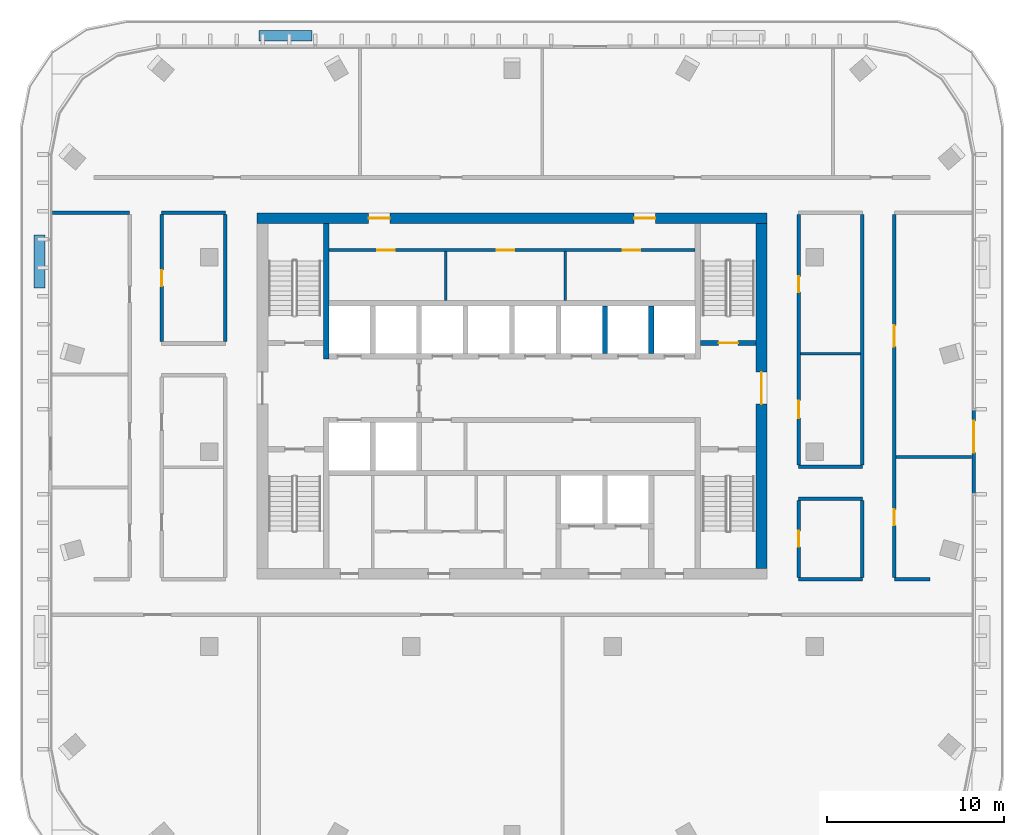
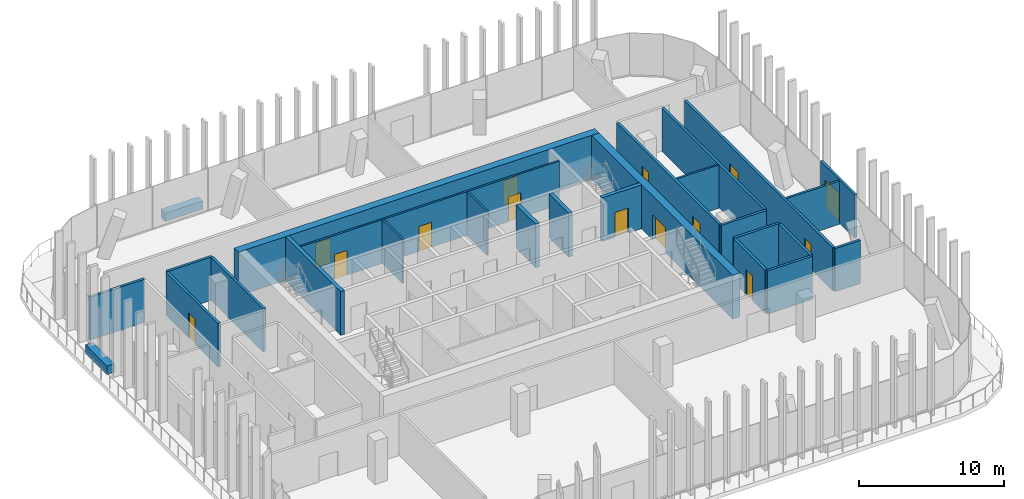
# One storey, part 9 of 15: 27 walls, 14 doors, 14 openings.
"""IFC4 building model written with IfcOpenShell, lengths in metres."""

import ifcopenshell
import ifcopenshell.guid

model = None  # the IFC model being written
_history = None  # IfcOwnerHistory: only IFC2X3 demands one
_inside = {}  # id of a spatial element -> (the spatial element, [elements in it])
_under = {}  # id of a project, library or spatial element -> (it, [spatial elements below it])
_declared = {}  # id of a project -> (the project, [libraries it declares])
_typed = {}  # id of a type object -> (the type object, [elements of that type])
_made_of = {}  # id of a material, layer set ... -> (it, [elements and type objects made of it])


def new_model(schema):
    """Start an empty IFC model of exactly this schema.

    Asked for "IFC4X3", IfcOpenShell would pick the latest addendum, in which some entities
    have other attributes; the version numbers below select the first issue.
    IFC2X3 requires an IfcOwnerHistory on every rooted entity: one is made here for all.
    """
    global model, _history
    if schema == "IFC4X3":
        model = ifcopenshell.file(schema_version=(4, 3, 0, 0))
    else:
        model = ifcopenshell.file(schema=schema)
    _inside.clear()
    _under.clear()
    _declared.clear()
    _typed.clear()
    _made_of.clear()
    _history = None
    if model.schema == "IFC2X3":
        org = make("IfcOrganization", Name="unknown")
        user = make(
            "IfcPersonAndOrganization",
            ThePerson=make("IfcPerson", FamilyName="unknown"),
            TheOrganization=org,
        )
        app = make(
            "IfcApplication",
            ApplicationDeveloper=org,
            Version="unknown",
            ApplicationFullName="unknown",
            ApplicationIdentifier="unknown",
        )
        _history = make(
            "IfcOwnerHistory",
            OwningUser=user,
            OwningApplication=app,
            ChangeAction="ADDED",
            CreationDate=0,
        )
    return model


def make(cls, **values):
    """One entity of the class cls with the attributes given. An attribute that is None is left unset."""
    return model.create_entity(
        cls, **{name: value for name, value in values.items() if value is not None}
    )


def rooted(cls, **values):
    """An entity with a GlobalId (a new one), such as an element, a storey or a relation."""
    return make(cls, GlobalId=ifcopenshell.guid.new(), OwnerHistory=_history, **values)


def si_unit(unit_type, name, prefix=None):
    """IfcSIUnit, for example si_unit("LENGTHUNIT", "METRE", prefix="MILLI")."""
    return make("IfcSIUnit", UnitType=unit_type, Prefix=prefix, Name=name)


def assignment(units):
    """IfcUnitAssignment: the units of a project."""
    return None if units is None else make("IfcUnitAssignment", Units=units)


def point(xyz):
    """IfcCartesianPoint."""
    return None if xyz is None else make("IfcCartesianPoint", Coordinates=xyz)


def direction(xyz):
    """IfcDirection."""
    return None if xyz is None else make("IfcDirection", DirectionRatios=xyz)


def frame(location, z_axis=None, x_axis=None):
    """IfcAxis2Placement3D, a coordinate frame: its origin and axes. An axis left out is left unset."""
    return make(
        "IfcAxis2Placement3D",
        Location=point(location),
        Axis=direction(z_axis),
        RefDirection=direction(x_axis),
    )


def frame_2d(location, x_axis=None):
    """IfcAxis2Placement2D, a coordinate frame in the plane: its origin and x axis."""
    return make(
        "IfcAxis2Placement2D", Location=point(location), RefDirection=direction(x_axis)
    )


def origin():
    """The frame at (0, 0, 0) with its axes left unset."""
    return frame((0.0, 0.0, 0.0))


def place(relative_to, where):
    """IfcLocalPlacement: puts the frame where relative to a parent placement (None: the world)."""
    return make(
        "IfcLocalPlacement", PlacementRelTo=relative_to, RelativePlacement=where
    )


def context(
    kind, dimensions, precision=None, world=None, true_north=None, identifier=None
):
    """IfcGeometricRepresentationContext, for example the 3D "Model" context."""
    return make(
        "IfcGeometricRepresentationContext",
        ContextIdentifier=identifier,
        ContextType=kind,
        CoordinateSpaceDimension=dimensions,
        Precision=precision,
        WorldCoordinateSystem=world,
        TrueNorth=true_north,
    )


def subcontext(parent, identifier, kind, view, scale=None):
    """IfcGeometricRepresentationSubContext, for example "Body" below "Model"."""
    return make(
        "IfcGeometricRepresentationSubContext",
        ContextIdentifier=identifier,
        ContextType=kind,
        ParentContext=parent,
        TargetScale=scale,
        TargetView=view,
    )


def project(units=None, contexts=None):
    """IfcProject with its units and contexts."""
    return rooted(
        "IfcProject",
        Name="project",
        RepresentationContexts=contexts,
        UnitsInContext=assignment(units),
    )


def spatial(cls, under=None, at=None, **own):
    """A site, building, storey or space (cls), placed at a placement, below another one or the project."""
    s = rooted(cls, ObjectPlacement=at, **own)
    if under is not None:
        _under.setdefault(under.id(), (under, []))[1].append(s)
    return s


def profile(cls, at=None, kind="AREA", **sizes):
    """A parametric profile (cls). Its sizes go by their IFC names, for example OverallWidth=200.0."""
    return make(cls, ProfileType=kind, Position=at, **sizes)


def rectangle(**sizes):
    """IfcRectangleProfileDef."""
    return profile("IfcRectangleProfileDef", **sizes)


def extrude(swept, where, along, depth):
    """IfcExtrudedAreaSolid: the profile swept, set in the frame where, extruded along a direction by depth."""
    return make(
        "IfcExtrudedAreaSolid",
        SweptArea=swept,
        Position=where,
        ExtrudedDirection=direction(along),
        Depth=depth,
    )


def shape(context_of_items, identifier, shape_type, items):
    """IfcShapeRepresentation: the items that make up one representation, for example the "Body"."""
    return make(
        "IfcShapeRepresentation",
        ContextOfItems=context_of_items,
        RepresentationIdentifier=identifier,
        RepresentationType=shape_type,
        Items=items,
    )


def material(Name=None, Category=None):
    """IfcMaterial."""
    return make("IfcMaterial", Name=Name, Category=Category)


def layer(
    of_material, thickness, ventilated=None, Name=None, Category=None, Priority=None
):
    """IfcMaterialLayer: one layer of a wall or slab, of a material (None: an air gap)."""
    return make(
        "IfcMaterialLayer",
        Material=of_material,
        LayerThickness=thickness,
        IsVentilated=ventilated,
        Name=Name,
        Category=Category,
        Priority=Priority,
    )


def layer_set(layers, Name=None):
    """IfcMaterialLayerSet."""
    return make("IfcMaterialLayerSet", MaterialLayers=layers, LayerSetName=Name)


def made_of(thing, what):
    """Note that an element or type object is made of a material, layer set ...; save() writes the relation."""
    if what is not None:
        _made_of.setdefault(what.id(), (what, []))[1].append(thing)
    return thing


def type_object(cls, material=None, **own):
    """A type object (cls), such as IfcWallType, which elements share."""
    return made_of(rooted(cls, **own), material)


def element(
    cls,
    number,
    at=None,
    inside=None,
    cuts=None,
    type_object=None,
    material=None,
    context=None,
    identifier="Body",
    shape_type=None,
    held_by="IfcProductDefinitionShape",
    body=None,
    shapes=None,
    **own,
):
    """One element of the class cls, such as IfcWall. Its Tag is "e" and its number.

    at: its placement. inside: the storey or other place that contains it. cuts: it is an
    opening in that element (IfcRelVoidsElement). A single representation is given by context,
    identifier, shape_type and body (its items); several are given by shapes. held_by: the class
    of the entity that holds the representations. save() writes the other relations.
    """
    e = rooted(cls, Tag="e%d" % number, ObjectPlacement=at, **own)
    if body is not None:
        shapes = [shape(context, identifier, shape_type, body)]
    if shapes is not None:
        e.Representation = make(held_by, Representations=shapes)
    if inside is not None:
        _inside.setdefault(inside.id(), (inside, []))[1].append(e)
    if cuts is not None:
        rooted(
            "IfcRelVoidsElement", RelatingBuildingElement=cuts, RelatedOpeningElement=e
        )
    if type_object is not None:
        _typed.setdefault(type_object.id(), (type_object, []))[1].append(e)
    return made_of(e, material)


def fill(opening, filler):
    """IfcRelFillsElement: the door or window that sits in an opening."""
    return rooted(
        "IfcRelFillsElement",
        RelatingOpeningElement=opening,
        RelatedBuildingElement=filler,
    )


def aggregate(whole, parts):
    """IfcRelAggregates: a whole, such as a stair, and the parts it consists of."""
    return rooted("IfcRelAggregates", RelatingObject=whole, RelatedObjects=parts)


def save(model, path):
    """Write the relations noted so far, then the file.

    IfcRelAggregates (storeys below a building ...), IfcRelContainedInSpatialStructure (elements
    in a storey), IfcRelDefinesByType, IfcRelAssociatesMaterial and IfcRelDeclares: one each for
    every whole, place, type object, material and project.
    """
    for whole, parts in _under.values():
        aggregate(whole, parts)
    for where, things in _inside.values():
        rooted(
            "IfcRelContainedInSpatialStructure",
            RelatedElements=things,
            RelatingStructure=where,
        )
    for kind, things in _typed.values():
        rooted("IfcRelDefinesByType", RelatedObjects=things, RelatingType=kind)
    for what, things in _made_of.values():
        rooted("IfcRelAssociatesMaterial", RelatedObjects=things, RelatingMaterial=what)
    for by, libraries in _declared.values():
        rooted("IfcRelDeclares", RelatingContext=by, RelatedDefinitions=libraries)
    model.write(path)


model = new_model("IFC4")

# Units and contexts
model_context = context("Model", 3, precision=1e-05, world=origin(), true_north=direction((0.0, 1.0)))
body_context = subcontext(model_context, "Body", "Model", "MODEL_VIEW")
ifc_project = project(units=[si_unit("LENGTHUNIT", "METRE"), si_unit("AREAUNIT", "SQUARE_METRE"), si_unit("VOLUMEUNIT", "CUBIC_METRE"), si_unit("PLANEANGLEUNIT", "RADIAN"), si_unit("MASSUNIT", "GRAM", prefix="KILO")], contexts=[model_context])

# Site, building, storey
site_placement = place(None, origin())
site = spatial("IfcSite", under=ifc_project, at=site_placement, CompositionType="ELEMENT")
building_placement = place(site_placement, origin())
building = spatial("IfcBuilding", under=site, at=building_placement, Name="Mopane Tessera Tower", CompositionType="ELEMENT")
storey_placement = place(building_placement, frame((0.0, 0.0, 329.39990234375)))
storey = spatial("IfcBuildingStorey", under=building, at=storey_placement, Name="L72", CompositionType="ELEMENT", Elevation=329.39990234375)

# Walls
ifc_material_1 = material(Name="Fire-rated gypsum board partition")
ifc_layer_1 = layer(ifc_material_1, 0.14990234375)
ifc_layer_set_1 = layer_set([ifc_layer_1], Name="Fire-rated gypsum board partition")
wall_type_1 = type_object("IfcWallType", Name="Core room partition 150 mm", PredefinedType="PARTITIONING", material=ifc_layer_set_1)
for number, where, z_axis, x_axis, name in (
    (1, (-3.75, 8.550048828125, 0.0), (0.0, 0.0, 1.0), (0.0, 1.0, 0.0), "L72 Room partition"),
    (2, (3.0, 8.550048828125, 0.0), (0.0, 0.0, 1.0), (0.0, 1.0, 0.0), "L72 Room partition"),
):
    element("IfcWall", number, at=place(storey_placement, frame(where, z_axis=z_axis, x_axis=x_axis)), inside=storey, type_object=wall_type_1, Name=name, PredefinedType="PARTITIONING", context=body_context, shape_type="SweptSolid", body=[
        extrude(rectangle(XDim=2.77490234375, YDim=0.14990234375, at=frame_2d((1.387451171875, 0.0))), origin(), (0.0, 0.0, 1.0), 3.7001953125),
    ])

# Wall, openings, doors
wall_1_placement = place(storey_placement, frame((-10.35009765625, 11.39990234375, 0.0), z_axis=(0.0, 0.0, 1.0), x_axis=(1.0, 0.0, 0.0)))
wall_1 = element("IfcWall", 3, at=wall_1_placement, inside=storey, type_object=wall_type_1, Name="L72 Corridor wall", PredefinedType="PARTITIONING", context=body_context, shape_type="SweptSolid", body=[
    extrude(rectangle(XDim=20.7001953125, YDim=0.14990234375, at=frame_2d((10.35009765625, 0.0))), origin(), (0.0, 0.0, 1.0), 3.7001953125),
])
opening_1_placement = place(wall_1_placement, frame((2.72509765625, 0.0, 0.0)))
opening_1 = element("IfcOpeningElement", 4, at=opening_1_placement, cuts=wall_1, Name="Opening RD1", PredefinedType="OPENING", context=body_context, shape_type="SweptSolid", body=[
    extrude(rectangle(XDim=1.0, YDim=2.10009765625, at=frame_2d((0.5, 1.050048828125))), frame((0.0, 0.0869140625, 0.0), z_axis=(0.0, -1.0, 0.0), x_axis=(1.0, 0.0, 0.0)), (0.0, 0.0, 1.0), 0.173828125),
])
opening_2_placement = place(wall_1_placement, frame((9.47509765625, 0.0, 0.0)))
opening_2 = element("IfcOpeningElement", 5, at=opening_2_placement, cuts=wall_1, Name="Opening RD1", PredefinedType="OPENING", context=body_context, shape_type="SweptSolid", body=[
    extrude(rectangle(XDim=1.0, YDim=2.10009765625, at=frame_2d((0.5, 1.050048828125))), frame((0.0, 0.0869140625, 0.0), z_axis=(0.0, -1.0, 0.0), x_axis=(1.0, 0.0, 0.0)), (0.0, 0.0, 1.0), 0.173828125),
])
opening_3_placement = place(wall_1_placement, frame((16.60009765625, 0.0, 0.0)))
opening_3 = element("IfcOpeningElement", 6, at=opening_3_placement, cuts=wall_1, Name="Opening RD1", PredefinedType="OPENING", context=body_context, shape_type="SweptSolid", body=[
    extrude(rectangle(XDim=1.0, YDim=2.10009765625, at=frame_2d((0.5, 1.050048828125))), frame((0.0, 0.0869140625, 0.0), z_axis=(0.0, -1.0, 0.0), x_axis=(1.0, 0.0, 0.0)), (0.0, 0.0, 1.0), 0.173828125),
])
ifc_material_2 = material(Name="Timber door", Category="wood")
door_type_1 = type_object("IfcDoorType", Name="Core room door 1000 x 2100", OperationType="SINGLE_SWING_LEFT", PredefinedType="DOOR", material=ifc_material_2)
door_1_placement = place(opening_1_placement, origin())
door_1 = element("IfcDoor", 7, at=door_1_placement, inside=storey, type_object=door_type_1, Name="L72 Room door", OperationType="SINGLE_SWING_LEFT", OverallHeight=2.10009765625, OverallWidth=1.0, PredefinedType="DOOR", context=body_context, shape_type="SweptSolid", body=[
    extrude(rectangle(XDim=1.0, YDim=2.10009765625, at=frame_2d((0.5, 1.050048828125))), frame((0.0, 0.02490234375, 0.0), z_axis=(0.0, -1.0, 0.0), x_axis=(1.0, 0.0, 0.0)), (0.0, 0.0, 1.0), 0.050048828125),
])
fill(opening_1, door_1)
door_2_placement = place(opening_2_placement, origin())
door_2 = element("IfcDoor", 8, at=door_2_placement, inside=storey, type_object=door_type_1, Name="L72 Room door", OperationType="SINGLE_SWING_LEFT", OverallHeight=2.10009765625, OverallWidth=1.0, PredefinedType="DOOR", context=body_context, shape_type="SweptSolid", body=[
    extrude(rectangle(XDim=1.0, YDim=2.10009765625, at=frame_2d((0.5, 1.050048828125))), frame((0.0, 0.02490234375, 0.0), z_axis=(0.0, -1.0, 0.0), x_axis=(1.0, 0.0, 0.0)), (0.0, 0.0, 1.0), 0.050048828125),
])
fill(opening_2, door_2)
door_3_placement = place(opening_3_placement, origin())
door_3 = element("IfcDoor", 9, at=door_3_placement, inside=storey, type_object=door_type_1, Name="L72 Room door", OperationType="SINGLE_SWING_LEFT", OverallHeight=2.10009765625, OverallWidth=1.0, PredefinedType="DOOR", context=body_context, shape_type="SweptSolid", body=[
    extrude(rectangle(XDim=1.0, YDim=2.10009765625, at=frame_2d((0.5, 1.050048828125))), frame((0.0, 0.02490234375, 0.0), z_axis=(0.0, -1.0, 0.0), x_axis=(1.0, 0.0, 0.0)), (0.0, 0.0, 1.0), 0.050048828125),
])
fill(opening_3, door_3)

ifc_material_3 = material(Name="Concrete C70/85", Category="concrete")
ifc_layer_2 = layer(ifc_material_3, 0.60009765625)
ifc_layer_set_2 = layer_set([ifc_layer_2], Name="Concrete C70/85")
wall_type_2 = type_object("IfcWallType", Name="Core shear wall 600 mm", PredefinedType="SHEAR", material=ifc_layer_set_2)
wall_2_placement = place(storey_placement, frame((-14.39990234375, 13.199951171875, 0.0), z_axis=(0.0, 0.0, 1.0), x_axis=(1.0, 0.0, 0.0)))
wall_2 = element("IfcWall", 10, at=wall_2_placement, inside=storey, type_object=wall_type_2, Name="L72 Core wall north", PredefinedType="SHEAR", context=body_context, shape_type="SweptSolid", body=[
    extrude(rectangle(XDim=28.7998046875, YDim=0.60009765625, at=frame_2d((14.39990234375, 0.0))), origin(), (0.0, 0.0, 1.0), 3.7001953125),
])
opening_4_placement = place(wall_2_placement, frame((6.300048828125, 0.0, 0.0)))
opening_4 = element("IfcOpeningElement", 11, at=opening_4_placement, cuts=wall_2, Name="Opening RD2", PredefinedType="OPENING", context=body_context, shape_type="SweptSolid", body=[
    extrude(rectangle(XDim=1.199951171875, YDim=2.10009765625, at=frame_2d((0.60009765625, 1.050048828125))), frame((0.0, 0.31201171875, 0.0), z_axis=(0.0, -1.0, 0.0), x_axis=(1.0, 0.0, 0.0)), (0.0, 0.0, 1.0), 0.6240234375),
])
opening_5_placement = place(wall_2_placement, frame((21.300048828125, 0.0, 0.0)))
opening_5 = element("IfcOpeningElement", 12, at=opening_5_placement, cuts=wall_2, Name="Opening RD2", PredefinedType="OPENING", context=body_context, shape_type="SweptSolid", body=[
    extrude(rectangle(XDim=1.199951171875, YDim=2.10009765625, at=frame_2d((0.60009765625, 1.050048828125))), frame((0.0, 0.31201171875, 0.0), z_axis=(0.0, -1.0, 0.0), x_axis=(1.0, 0.0, 0.0)), (0.0, 0.0, 1.0), 0.6240234375),
])
ifc_material_4 = material(Name="Timber door", Category="wood")
door_type_2 = type_object("IfcDoorType", Name="Core corridor door 1200 x 2100", OperationType="SINGLE_SWING_LEFT", PredefinedType="DOOR", material=ifc_material_4)
door_4_placement = place(opening_4_placement, origin())
door_4 = element("IfcDoor", 13, at=door_4_placement, inside=storey, type_object=door_type_2, Name="L72 Corridor door", OperationType="SINGLE_SWING_LEFT", OverallHeight=2.10009765625, OverallWidth=1.199951171875, PredefinedType="DOOR", context=body_context, shape_type="SweptSolid", body=[
    extrude(rectangle(XDim=1.199951171875, YDim=2.10009765625, at=frame_2d((0.60009765625, 1.050048828125))), frame((0.0, 0.02490234375, 0.0), z_axis=(0.0, -1.0, 0.0), x_axis=(1.0, 0.0, 0.0)), (0.0, 0.0, 1.0), 0.050048828125),
])
fill(opening_4, door_4)
door_5_placement = place(opening_5_placement, origin())
door_5 = element("IfcDoor", 14, at=door_5_placement, inside=storey, type_object=door_type_2, Name="L72 Corridor door", OperationType="SINGLE_SWING_RIGHT", OverallHeight=2.10009765625, OverallWidth=1.199951171875, PredefinedType="DOOR", context=body_context, shape_type="SweptSolid", body=[
    extrude(rectangle(XDim=1.199951171875, YDim=2.10009765625, at=frame_2d((0.60009765625, 1.050048828125))), frame((0.0, 0.02490234375, 0.0), z_axis=(0.0, -1.0, 0.0), x_axis=(1.0, 0.0, 0.0)), (0.0, 0.0, 1.0), 0.050048828125),
])
fill(opening_5, door_5)

# Wall, opening, door
wall_3_placement = place(storey_placement, frame((14.10009765625, -6.60009765625, 0.0), z_axis=(0.0, 0.0, 1.0), x_axis=(0.0, 1.0, 0.0)))
wall_3 = element("IfcWall", 15, at=wall_3_placement, inside=storey, type_object=wall_type_2, Name="L72 Core wall east", PredefinedType="SHEAR", context=body_context, shape_type="SweptSolid", body=[
    extrude(rectangle(XDim=19.5, YDim=0.60009765625, at=frame_2d((9.75, 0.0))), origin(), (0.0, 0.0, 1.0), 3.7001953125),
])
opening_6_placement = place(wall_3_placement, frame((9.300048828125, 0.0, 0.0)))
opening_6 = element("IfcOpeningElement", 16, at=opening_6_placement, cuts=wall_3, Name="Opening SD2", PredefinedType="OPENING", context=body_context, shape_type="SweptSolid", body=[
    extrude(rectangle(XDim=1.800048828125, YDim=2.10009765625, at=frame_2d((0.89990234375, 1.050048828125))), frame((0.0, 0.31201171875, 0.0), z_axis=(0.0, -1.0, 0.0), x_axis=(1.0, 0.0, 0.0)), (0.0, 0.0, 1.0), 0.6240234375),
])
ifc_material_5 = material(Name="Steel fire door", Category="steel")
door_type_3 = type_object("IfcDoorType", Name="Core entrance double door 1800 x 2100", OperationType="DOUBLE_DOOR_SINGLE_SWING", PredefinedType="DOOR", material=ifc_material_5)
door_6_placement = place(opening_6_placement, origin())
door_6 = element("IfcDoor", 17, at=door_6_placement, inside=storey, type_object=door_type_3, Name="L72 Core entrance door east", OperationType="DOUBLE_DOOR_SINGLE_SWING", OverallHeight=2.10009765625, OverallWidth=1.800048828125, PredefinedType="DOOR", context=body_context, shape_type="SweptSolid", body=[
    extrude(rectangle(XDim=1.800048828125, YDim=2.10009765625, at=frame_2d((0.89990234375, 1.050048828125))), frame((0.0, 0.02490234375, 0.0), z_axis=(0.0, -1.0, 0.0), x_axis=(1.0, 0.0, 0.0)), (0.0, 0.0, 1.0), 0.050048828125),
])
fill(opening_6, door_6)

# Walls
ifc_material_6 = material(Name="Concrete C60/75", Category="concrete")
ifc_layer_3 = layer(ifc_material_6, 0.300048828125)
ifc_layer_set_3 = layer_set([ifc_layer_3], Name="Concrete C60/75")
wall_type_3 = type_object("IfcWallType", Name="Core spine wall 300 mm", PredefinedType="SHEAR", material=ifc_layer_set_3)
wall_4_placement = place(storey_placement, frame((-10.5, 5.25, 0.0), z_axis=(0.0, 0.0, 1.0), x_axis=(0.0, 1.0, 0.0)))
element("IfcWall", 18, at=wall_4_placement, inside=storey, type_object=wall_type_3, Name="L72 Core spine wall", PredefinedType="SHEAR", context=body_context, shape_type="SweptSolid", body=[
    extrude(rectangle(XDim=7.64990234375, YDim=0.300048828125, at=frame_2d((3.824951171875, 0.0))), origin(), (0.0, 0.0, 1.0), 3.7001953125),
])
ifc_material_7 = material(Name="Gypsum board on staggered steel studs, double layer each face, acoustic mineral wool infill", Category="steel")
ifc_layer_4 = layer(ifc_material_7, 0.175048828125)
ifc_layer_set_4 = layer_set([ifc_layer_4], Name="Gypsum board on staggered steel studs, double layer each face, acoustic mineral wool infill")
wall_type_4 = type_object("IfcWallType", Name="Gypsum board acoustic partition 175, rated EI 60", PredefinedType="PARTITIONING", material=ifc_layer_set_4)
wall_5_placement = place(storey_placement, frame((21.699951171875, -0.300048828125, 0.0), z_axis=(0.0, 0.0, 1.0), x_axis=(1.0, 0.0, 0.0)))
element("IfcWall", 19, at=wall_5_placement, inside=storey, type_object=wall_type_4, Name="Partition L72:009", PredefinedType="PARTITIONING", context=body_context, shape_type="SweptSolid", body=[
    extrude(rectangle(XDim=4.25, YDim=0.175048828125, at=frame_2d((2.125, 0.0))), origin(), (0.0, 0.0, 1.0), 3.650146484375),
])
ifc_material_8 = material(Name="Gypsum board on steel studs, two layers each face, mineral wool infill", Category="steel")
ifc_layer_5 = layer(ifc_material_8, 0.199951171875)
ifc_layer_set_5 = layer_set([ifc_layer_5], Name="Gypsum board on steel studs, two layers each face, mineral wool infill")
wall_type_5 = type_object("IfcWallType", Name="Gypsum board corridor wall 200, rated EI 60", PredefinedType="PARTITIONING", material=ifc_layer_set_5)
wall_6_placement = place(storey_placement, frame((16.199951171875, -7.199951171875, 0.0), z_axis=(0.0, 0.0, 1.0), x_axis=(1.0, 0.0, 0.0)))
element("IfcWall", 20, at=wall_6_placement, inside=storey, type_object=wall_type_5, Name="Partition L72:003", PredefinedType="PARTITIONING", context=body_context, shape_type="SweptSolid", body=[
    extrude(rectangle(XDim=3.60009765625, YDim=0.199951171875, at=frame_2d((1.800048828125, 0.0))), origin(), (0.0, 0.0, 1.0), 3.650146484375),
])
wall_7_placement = place(storey_placement, frame((21.60009765625, -7.199951171875, 0.0), z_axis=(0.0, 0.0, 1.0), x_axis=(1.0, 0.0, 0.0)))
element("IfcWall", 21, at=wall_7_placement, inside=storey, type_object=wall_type_5, Name="Partition L72:004", PredefinedType="PARTITIONING", context=body_context, shape_type="SweptSolid", body=[
    extrude(rectangle(XDim=2.02490234375, YDim=0.199951171875, at=frame_2d((1.012451171875, 0.0))), origin(), (0.0, 0.0, 1.0), 3.650146484375),
])
for number, where, z_axis, x_axis, name in (
    (22, (16.199951171875, -2.639892578125, 0.0), (0.0, 0.0, 1.0), (1.0, 0.0, 0.0), "Partition L72:005"),
    (23, (16.199951171875, -0.840087890625, 0.0), (0.0, 0.0, 1.0), (1.0, 0.0, 0.0), "Partition L72:008"),
):
    element("IfcWall", number, at=place(storey_placement, frame(where, z_axis=z_axis, x_axis=x_axis)), inside=storey, type_object=wall_type_5, Name=name, PredefinedType="PARTITIONING", context=body_context, shape_type="SweptSolid", body=[
        extrude(rectangle(XDim=3.60009765625, YDim=0.199951171875, at=frame_2d((1.800048828125, 0.0))), origin(), (0.0, 0.0, 1.0), 3.650146484375),
    ])
wall_8_placement = place(storey_placement, frame((-25.949951171875, 13.5, 0.0), z_axis=(0.0, 0.0, 1.0), x_axis=(1.0, 0.0, 0.0)))
element("IfcWall", 24, at=wall_8_placement, inside=storey, type_object=wall_type_5, Name="Partition L72:014", PredefinedType="PARTITIONING", context=body_context, shape_type="SweptSolid", body=[
    extrude(rectangle(XDim=4.349853515625, YDim=0.199951171875, at=frame_2d((2.1748046875, 0.0))), origin(), (0.0, 0.0, 1.0), 3.650146484375),
])
wall_9_placement = place(storey_placement, frame((-19.800048828125, 13.5, 0.0), z_axis=(0.0, 0.0, 1.0), x_axis=(1.0, 0.0, 0.0)))
element("IfcWall", 25, at=wall_9_placement, inside=storey, type_object=wall_type_5, Name="Partition L72:015", PredefinedType="PARTITIONING", context=body_context, shape_type="SweptSolid", body=[
    extrude(rectangle(XDim=3.60009765625, YDim=0.199951171875, at=frame_2d((1.800048828125, 0.0))), origin(), (0.0, 0.0, 1.0), 3.650146484375),
])

# Wall, opening, door
wall_10_placement = place(storey_placement, frame((-19.800048828125, 6.219970703125, 0.0), z_axis=(0.0, 0.0, 1.0), x_axis=(0.0, 1.0, 0.0)))
wall_10 = element("IfcWall", 26, at=wall_10_placement, inside=storey, type_object=wall_type_5, Name="Partition L72:021", PredefinedType="PARTITIONING", context=body_context, shape_type="SweptSolid", body=[
    extrude(rectangle(XDim=7.179931640625, YDim=0.199951171875, at=frame_2d((3.58984375, 0.0))), origin(), (0.0, 0.0, 1.0), 3.650146484375),
])
opening_7_placement = place(wall_10_placement, frame((3.139892578125, 0.0, 0.0)))
opening_7 = element("IfcOpeningElement", 27, at=opening_7_placement, cuts=wall_10, Name="Opening L72-12", PredefinedType="OPENING", context=body_context, shape_type="SweptSolid", body=[
    extrude(rectangle(XDim=0.89990234375, YDim=2.10009765625, at=frame_2d((0.449951171875, 1.050048828125))), frame((0.0, 0.112060546875, 0.0), z_axis=(0.0, -1.0, 0.0), x_axis=(1.0, 0.0, 0.0)), (0.0, 0.0, 1.0), 0.223876953125),
])
ifc_material_9 = material(Name="Timber veneered steel-framed fire door", Category="steel")
door_type_4 = type_object("IfcDoorType", Name="Fire door FD60 900 x 2100", OperationType="SINGLE_SWING_LEFT", PredefinedType="DOOR", material=ifc_material_9)
door_7_placement = place(opening_7_placement, origin())
door_7 = element("IfcDoor", 28, at=door_7_placement, inside=storey, type_object=door_type_4, Name="Door L72-12", ObjectType="D10A", OperationType="SINGLE_SWING_RIGHT", OverallHeight=2.10009765625, OverallWidth=0.89990234375, PredefinedType="DOOR", context=body_context, shape_type="SweptSolid", body=[
    extrude(rectangle(XDim=0.89990234375, YDim=2.10009765625, at=frame_2d((0.449951171875, 1.050048828125))), frame((0.0, 0.02490234375, 0.0), z_axis=(0.0, -1.0, 0.0), x_axis=(1.0, 0.0, 0.0)), (0.0, 0.0, 1.0), 0.050048828125),
])
fill(opening_7, door_7)

# Wall
wall_11_placement = place(storey_placement, frame((-16.199951171875, 6.219970703125, 0.0), z_axis=(0.0, 0.0, 1.0), x_axis=(0.0, 1.0, 0.0)))
element("IfcWall", 29, at=wall_11_placement, inside=storey, type_object=wall_type_5, Name="Partition L72:023", PredefinedType="PARTITIONING", context=body_context, shape_type="SweptSolid", body=[
    extrude(rectangle(XDim=7.179931640625, YDim=0.199951171875, at=frame_2d((3.58984375, 0.0))), origin(), (0.0, 0.0, 1.0), 3.650146484375),
])

# Wall, opening, door
wall_12_placement = place(storey_placement, frame((16.199951171875, -7.10009765625, 0.0), z_axis=(0.0, 0.0, 1.0), x_axis=(0.0, 1.0, 0.0)))
wall_12 = element("IfcWall", 30, at=wall_12_placement, inside=storey, type_object=wall_type_5, Name="Partition L72:028", PredefinedType="PARTITIONING", context=body_context, shape_type="SweptSolid", body=[
    extrude(rectangle(XDim=4.360107421875, YDim=0.199951171875, at=frame_2d((2.18017578125, 0.0))), origin(), (0.0, 0.0, 1.0), 3.650146484375),
])
opening_8_placement = place(wall_12_placement, frame((1.72998046875, 0.0, 0.0)))
opening_8 = element("IfcOpeningElement", 31, at=opening_8_placement, cuts=wall_12, Name="Opening L72-09", PredefinedType="OPENING", context=body_context, shape_type="SweptSolid", body=[
    extrude(rectangle(XDim=0.89990234375, YDim=2.10009765625, at=frame_2d((0.449951171875, 1.050048828125))), frame((0.0, 0.112060546875, 0.0), z_axis=(0.0, -1.0, 0.0), x_axis=(1.0, 0.0, 0.0)), (0.0, 0.0, 1.0), 0.223876953125),
])
door_8_placement = place(opening_8_placement, origin())
door_8 = element("IfcDoor", 32, at=door_8_placement, inside=storey, type_object=door_type_4, Name="Door L72-09", ObjectType="D10A", OperationType="SINGLE_SWING_LEFT", OverallHeight=2.10009765625, OverallWidth=0.89990234375, PredefinedType="DOOR", context=body_context, shape_type="SweptSolid", body=[
    extrude(rectangle(XDim=0.89990234375, YDim=2.10009765625, at=frame_2d((0.449951171875, 1.050048828125))), frame((0.0, 0.02490234375, 0.0), z_axis=(0.0, -1.0, 0.0), x_axis=(1.0, 0.0, 0.0)), (0.0, 0.0, 1.0), 0.050048828125),
])
fill(opening_8, door_8)

# Wall, openings, doors
wall_13_placement = place(storey_placement, frame((16.199951171875, -0.739990234375, 0.0), z_axis=(0.0, 0.0, 1.0), x_axis=(0.0, 1.0, 0.0)))
wall_13 = element("IfcWall", 33, at=wall_13_placement, inside=storey, type_object=wall_type_5, Name="Partition L72:029", PredefinedType="PARTITIONING", context=body_context, shape_type="SweptSolid", body=[
    extrude(rectangle(XDim=14.139892578125, YDim=0.199951171875, at=frame_2d((7.06982421875, 0.0))), origin(), (0.0, 0.0, 1.0), 3.650146484375),
])
opening_9_placement = place(wall_13_placement, frame((9.757568359375, 0.0, 0.0)))
opening_9 = element("IfcOpeningElement", 34, at=opening_9_placement, cuts=wall_13, Name="Opening L72-05", PredefinedType="OPENING", context=body_context, shape_type="SweptSolid", body=[
    extrude(rectangle(XDim=0.89990234375, YDim=2.10009765625, at=frame_2d((0.449951171875, 1.050048828125))), frame((0.0, 0.112060546875, 0.0), z_axis=(0.0, -1.0, 0.0), x_axis=(1.0, 0.0, 0.0)), (0.0, 0.0, 1.0), 0.223876953125),
])
opening_10_placement = place(wall_13_placement, frame((2.637451171875, 0.0, 0.0)))
opening_10 = element("IfcOpeningElement", 35, at=opening_10_placement, cuts=wall_13, Name="Opening L72-10", PredefinedType="OPENING", context=body_context, shape_type="SweptSolid", body=[
    extrude(rectangle(XDim=1.0, YDim=2.10009765625, at=frame_2d((0.5, 1.050048828125))), frame((0.0, 0.112060546875, 0.0), z_axis=(0.0, -1.0, 0.0), x_axis=(1.0, 0.0, 0.0)), (0.0, 0.0, 1.0), 0.223876953125),
])
ifc_material_10 = material(Name="Timber veneered steel-framed fire door", Category="steel")
door_type_5 = type_object("IfcDoorType", Name="Fire door FD60 1000 x 2100", OperationType="SINGLE_SWING_LEFT", PredefinedType="DOOR", material=ifc_material_10)
door_9_placement = place(opening_10_placement, origin())
door_9 = element("IfcDoor", 36, at=door_9_placement, inside=storey, type_object=door_type_5, Name="Door L72-10", ObjectType="D12A", OperationType="SINGLE_SWING_RIGHT", OverallHeight=2.10009765625, OverallWidth=1.0, PredefinedType="DOOR", context=body_context, shape_type="SweptSolid", body=[
    extrude(rectangle(XDim=1.0, YDim=2.10009765625, at=frame_2d((0.5, 1.050048828125))), frame((0.0, 0.02490234375, 0.0), z_axis=(0.0, -1.0, 0.0), x_axis=(1.0, 0.0, 0.0)), (0.0, 0.0, 1.0), 0.050048828125),
])
fill(opening_10, door_9)
door_10_placement = place(opening_9_placement, origin())
door_10 = element("IfcDoor", 37, at=door_10_placement, inside=storey, type_object=door_type_4, Name="Door L72-05", ObjectType="D10A", OperationType="SINGLE_SWING_LEFT", OverallHeight=2.10009765625, OverallWidth=0.89990234375, PredefinedType="DOOR", context=body_context, shape_type="SweptSolid", body=[
    extrude(rectangle(XDim=0.89990234375, YDim=2.10009765625, at=frame_2d((0.449951171875, 1.050048828125))), frame((0.0, 0.02490234375, 0.0), z_axis=(0.0, -1.0, 0.0), x_axis=(1.0, 0.0, 0.0)), (0.0, 0.0, 1.0), 0.050048828125),
])
fill(opening_9, door_10)

# Walls
wall_14_placement = place(storey_placement, frame((19.800048828125, -7.10009765625, 0.0), z_axis=(0.0, 0.0, 1.0), x_axis=(0.0, 1.0, 0.0)))
element("IfcWall", 38, at=wall_14_placement, inside=storey, type_object=wall_type_5, Name="Partition L72:031", PredefinedType="PARTITIONING", context=body_context, shape_type="SweptSolid", body=[
    extrude(rectangle(XDim=4.360107421875, YDim=0.199951171875, at=frame_2d((2.18017578125, 0.0))), origin(), (0.0, 0.0, 1.0), 3.650146484375),
])
wall_15_placement = place(storey_placement, frame((19.800048828125, -0.739990234375, 0.0), z_axis=(0.0, 0.0, 1.0), x_axis=(0.0, 1.0, 0.0)))
element("IfcWall", 39, at=wall_15_placement, inside=storey, type_object=wall_type_5, Name="Partition L72:032", PredefinedType="PARTITIONING", context=body_context, shape_type="SweptSolid", body=[
    extrude(rectangle(XDim=14.139892578125, YDim=0.199951171875, at=frame_2d((7.06982421875, 0.0))), origin(), (0.0, 0.0, 1.0), 3.650146484375),
])

# Wall, openings, doors
wall_16_placement = place(storey_placement, frame((21.60009765625, -7.10009765625, 0.0), z_axis=(0.0, 0.0, 1.0), x_axis=(0.0, 1.0, 0.0)))
wall_16 = element("IfcWall", 40, at=wall_16_placement, inside=storey, type_object=wall_type_5, Name="Partition L72:033", PredefinedType="PARTITIONING", context=body_context, shape_type="SweptSolid", body=[
    extrude(rectangle(XDim=20.5, YDim=0.199951171875, at=frame_2d((10.25, 0.0))), origin(), (0.0, 0.0, 1.0), 3.650146484375),
])
opening_11_placement = place(wall_16_placement, frame((2.949951171875, 0.0, 0.0)))
opening_11 = element("IfcOpeningElement", 41, at=opening_11_placement, cuts=wall_16, Name="Opening L72-01", PredefinedType="OPENING", context=body_context, shape_type="SweptSolid", body=[
    extrude(rectangle(XDim=0.89990234375, YDim=2.10009765625, at=frame_2d((0.449951171875, 1.050048828125))), frame((0.0, 0.112060546875, 0.0), z_axis=(0.0, -1.0, 0.0), x_axis=(1.0, 0.0, 0.0)), (0.0, 0.0, 1.0), 0.223876953125),
])
opening_12_placement = place(wall_16_placement, frame((13.050048828125, 0.0, 0.0)))
opening_12 = element("IfcOpeningElement", 42, at=opening_12_placement, cuts=wall_16, Name="Opening L72-03", PredefinedType="OPENING", context=body_context, shape_type="SweptSolid", body=[
    extrude(rectangle(XDim=1.199951171875, YDim=2.10009765625, at=frame_2d((0.60009765625, 1.050048828125))), frame((0.0, 0.112060546875, 0.0), z_axis=(0.0, -1.0, 0.0), x_axis=(1.0, 0.0, 0.0)), (0.0, 0.0, 1.0), 0.223876953125),
])
ifc_material_11 = material(Name="Timber veneered steel-framed fire door", Category="steel")
door_type_6 = type_object("IfcDoorType", Name="Fire door FD60 1200 x 2100", OperationType="SINGLE_SWING_LEFT", PredefinedType="DOOR", material=ifc_material_11)
door_11_placement = place(opening_12_placement, origin())
door_11 = element("IfcDoor", 43, at=door_11_placement, inside=storey, type_object=door_type_6, Name="Door L72-03", ObjectType="D15A", OperationType="SINGLE_SWING_LEFT", OverallHeight=2.10009765625, OverallWidth=1.199951171875, PredefinedType="DOOR", context=body_context, shape_type="SweptSolid", body=[
    extrude(rectangle(XDim=1.199951171875, YDim=2.10009765625, at=frame_2d((0.60009765625, 1.050048828125))), frame((0.0, 0.02490234375, 0.0), z_axis=(0.0, -1.0, 0.0), x_axis=(1.0, 0.0, 0.0)), (0.0, 0.0, 1.0), 0.050048828125),
])
fill(opening_12, door_11)
door_12_placement = place(opening_11_placement, origin())
door_12 = element("IfcDoor", 44, at=door_12_placement, inside=storey, type_object=door_type_4, Name="Door L72-01", ObjectType="D10A", OperationType="SINGLE_SWING_LEFT", OverallHeight=2.10009765625, OverallWidth=0.89990234375, PredefinedType="DOOR", context=body_context, shape_type="SweptSolid", body=[
    extrude(rectangle(XDim=0.89990234375, YDim=2.10009765625, at=frame_2d((0.449951171875, 1.050048828125))), frame((0.0, 0.02490234375, 0.0), z_axis=(0.0, -1.0, 0.0), x_axis=(1.0, 0.0, 0.0)), (0.0, 0.0, 1.0), 0.050048828125),
])
fill(opening_11, door_12)

# Wall
ifc_material_12 = material(Name="Gypsum board on steel studs, mineral wool infill", Category="steel")
ifc_layer_6 = layer(ifc_material_12, 0.14990234375)
ifc_layer_set_6 = layer_set([ifc_layer_6], Name="Gypsum board on steel studs, mineral wool infill")
wall_type_6 = type_object("IfcWallType", Name="Gypsum board partition 150, rated EI 60", PredefinedType="PARTITIONING", material=ifc_layer_set_6)
wall_17_placement = place(storey_placement, frame((16.300048828125, 5.534912109375, 0.0), z_axis=(0.0, 0.0, 1.0), x_axis=(1.0, 0.0, 0.0)))
element("IfcWall", 45, at=wall_17_placement, inside=storey, type_object=wall_type_6, Name="Partition L72:012", PredefinedType="PARTITIONING", context=body_context, shape_type="SweptSolid", body=[
    extrude(rectangle(XDim=3.39990234375, YDim=0.14990234375, at=frame_2d((1.699951171875, 0.0))), origin(), (0.0, 0.0, 1.0), 3.650146484375),
])

# Wall, opening, door
ifc_material_13 = material(Name="Concrete C50/60", Category="concrete")
ifc_layer_7 = layer(ifc_material_13, 0.300048828125)
ifc_layer_set_7 = layer_set([ifc_layer_7], Name="Concrete C50/60")
wall_type_7 = type_object("IfcWallType", Name="Lift and stair shaft wall 300 mm", PredefinedType="SOLIDWALL", material=ifc_layer_set_7)
wall_18_placement = place(storey_placement, frame((10.64990234375, 6.14990234375, 0.0), z_axis=(0.0, 0.0, 1.0), x_axis=(1.0, 0.0, 0.0)))
wall_18 = element("IfcWall", 46, at=wall_18_placement, inside=storey, type_object=wall_type_7, Name="L72 Stair enclosure wall", PredefinedType="SOLIDWALL", context=body_context, shape_type="SweptSolid", body=[
    extrude(rectangle(XDim=3.150146484375, YDim=0.300048828125, at=frame_2d((1.5751953125, 0.0))), origin(), (0.0, 0.0, 1.0), 3.7001953125),
])
opening_13_placement = place(wall_18_placement, frame((1.02490234375, 0.0, 0.0)))
opening_13 = element("IfcOpeningElement", 47, at=opening_13_placement, cuts=wall_18, Name="Opening SD1", PredefinedType="OPENING", context=body_context, shape_type="SweptSolid", body=[
    extrude(rectangle(XDim=1.10009765625, YDim=2.10009765625, at=frame_2d((0.550048828125, 1.050048828125))), frame((0.0, 0.162109375, 0.0), z_axis=(0.0, -1.0, 0.0), x_axis=(1.0, 0.0, 0.0)), (0.0, 0.0, 1.0), 0.323974609375),
])
ifc_material_14 = material(Name="Steel fire door", Category="steel")
door_type_7 = type_object("IfcDoorType", Name="Stair fire door 1100 x 2100", OperationType="SINGLE_SWING_LEFT", PredefinedType="DOOR", material=ifc_material_14)
door_13_placement = place(opening_13_placement, origin())
door_13 = element("IfcDoor", 48, at=door_13_placement, inside=storey, type_object=door_type_7, Name="L72 Stair door ST4", OperationType="SINGLE_SWING_RIGHT", OverallHeight=2.10009765625, OverallWidth=1.10009765625, PredefinedType="DOOR", context=body_context, shape_type="SweptSolid", body=[
    extrude(rectangle(XDim=1.10009765625, YDim=2.10009765625, at=frame_2d((0.550048828125, 1.050048828125))), frame((0.0, 0.02490234375, 0.0), z_axis=(0.0, -1.0, 0.0), x_axis=(1.0, 0.0, 0.0)), (0.0, 0.0, 1.0), 0.050048828125),
])
fill(opening_13, door_13)

# Walls
for number, where, z_axis, x_axis, name in (
    (49, (5.25, 5.550048828125, 0.0), (0.0, 0.0, 1.0), (0.0, 1.0, 0.0), "L72 Lift shaft wall"),
    (50, (7.875, 5.550048828125, 0.0), (0.0, 0.0, 1.0), (0.0, 1.0, 0.0), "L72 Lift shaft wall"),
):
    element("IfcWall", number, at=place(storey_placement, frame(where, z_axis=z_axis, x_axis=x_axis)), inside=storey, type_object=wall_type_7, Name=name, PredefinedType="SOLIDWALL", context=body_context, shape_type="SweptSolid", body=[
        extrude(rectangle(XDim=2.699951171875, YDim=0.300048828125, at=frame_2d((1.35009765625, 0.0))), origin(), (0.0, 0.0, 1.0), 3.7001953125),
    ])
ifc_material_15 = material(Name="Reinforced concrete C32/40 with waterproofing", Category="concrete")
ifc_layer_8 = layer(ifc_material_15, 0.60009765625)
ifc_layer_set_8 = layer_set([ifc_layer_8], Name="Reinforced concrete C32/40 with waterproofing")
wall_type_8 = type_object("IfcWallType", Name="Planter trough 3000 x 600", PredefinedType="STANDARD", material=ifc_layer_set_8)
for number, where, z_axis, x_axis, name in (
    (51, (-11.300048828125, 23.5, 0.0), (0.0, 0.0, 1.0), (-1.0, 0.0, 0.0), "e:sp:L72:N1"),
    (52, (-26.699951171875, 12.251953125, 0.0), (0.0, 0.0, 1.0), (0.0, -1.0, 0.0), "e:sp:L72:W0"),
):
    element("IfcWall", number, at=place(storey_placement, frame(where, z_axis=z_axis, x_axis=x_axis)), inside=storey, type_object=wall_type_8, Name=name, PredefinedType="STANDARD", context=body_context, shape_type="SweptSolid", body=[
        extrude(rectangle(XDim=3.0, YDim=0.60009765625, at=frame_2d((1.5, 0.0))), origin(), (0.0, 0.0, 1.0), 0.7001953125),
    ])

# Wall, opening, door
ifc_material_16 = material(Name="Blockwork with glazed tile facing", Category="masonry")
ifc_layer_9 = layer(ifc_material_16, 0.199951171875)
ifc_layer_set_9 = layer_set([ifc_layer_9], Name="Blockwork with glazed tile facing")
wall_type_9 = type_object("IfcWallType", Name="Tile-clad portal wall 200", PredefinedType="STANDARD", material=ifc_layer_set_9)
wall_19_placement = place(storey_placement, frame((26.10009765625, -2.35009765625, 0.0), z_axis=(0.0, 0.0, 1.0), x_axis=(0.0, 1.0, 0.0)))
wall_19 = element("IfcWall", 53, at=wall_19_placement, inside=storey, type_object=wall_type_9, Name="e:pw:L72:E", PredefinedType="STANDARD", context=body_context, shape_type="SweptSolid", body=[
    extrude(rectangle(XDim=4.7001953125, YDim=0.199951171875, at=frame_2d((2.35009765625, 0.0))), origin(), (0.0, 0.0, 1.0), 3.650146484375),
])
opening_14_placement = place(wall_19_placement, frame((2.300048828125, 0.0, 0.0)))
opening_14 = element("IfcOpeningElement", 54, at=opening_14_placement, cuts=wall_19, Name="Opening TD72E", PredefinedType="OPENING", context=body_context, shape_type="SweptSolid", body=[
    extrude(rectangle(XDim=1.800048828125, YDim=2.39990234375, at=frame_2d((0.89990234375, 1.199951171875))), frame((0.0, 0.112060546875, 0.0), z_axis=(0.0, -1.0, 0.0), x_axis=(1.0, 0.0, 0.0)), (0.0, 0.0, 1.0), 0.223876953125),
])
ifc_material_17 = material(Name="Aluminium and clear glass", Category="aluminium")
door_type_8 = type_object("IfcDoorType", Name="Terrace double door 1800 x 2400", OperationType="DOUBLE_DOOR_SINGLE_SWING", PredefinedType="DOOR", material=ifc_material_17)
door_14_placement = place(opening_14_placement, origin())
door_14 = element("IfcDoor", 55, at=door_14_placement, inside=storey, type_object=door_type_8, Name="e:pw:L72:E:door", ObjectType="D1", OperationType="DOUBLE_DOOR_SINGLE_SWING", OverallHeight=2.39990234375, OverallWidth=1.800048828125, PredefinedType="DOOR", context=body_context, shape_type="SweptSolid", body=[
    extrude(rectangle(XDim=1.800048828125, YDim=2.39990234375, at=frame_2d((0.89990234375, 1.199951171875))), frame((0.0, 0.02490234375, 0.0), z_axis=(0.0, -1.0, 0.0), x_axis=(1.0, 0.0, 0.0)), (0.0, 0.0, 1.0), 0.050048828125),
])
fill(opening_14, door_14)

save(model, "model.ifc")
